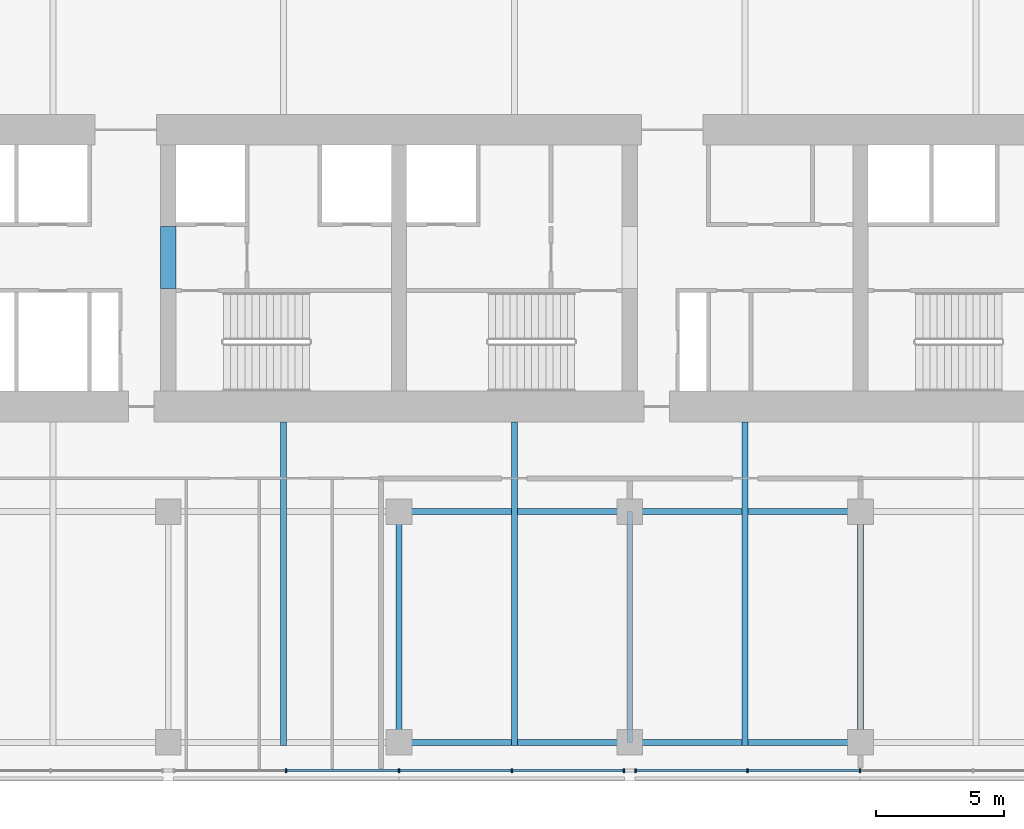
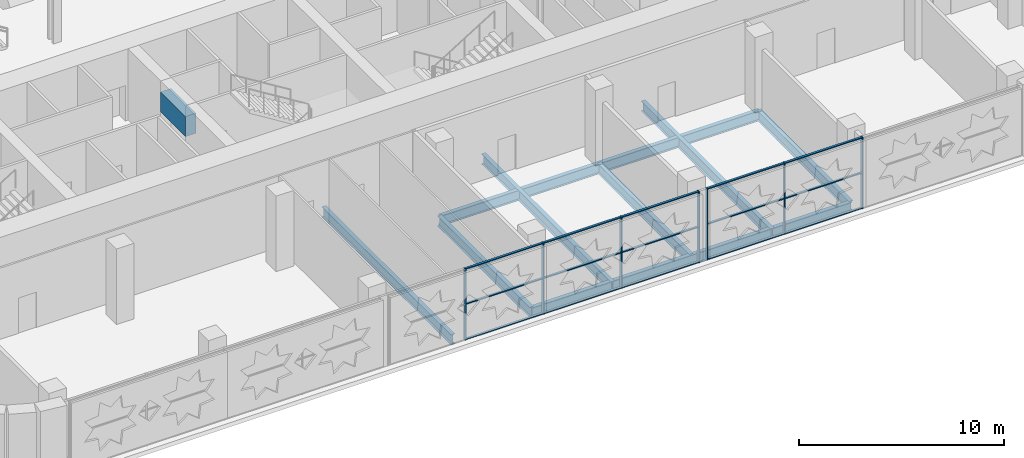
# One storey, part 5 of 26: 22 members, 9 beams, 2 elements without a shape of their own.
"""IFC4 building model written with IfcOpenShell, lengths in metres."""

from ifc_helpers import new_model, si_unit, direction, frame, origin, origin_2d, place, context, subcontext, project, spatial, rectangle, i_section, extrude, material, material_profile, profile_set, type_object, element, aggregate, save


model = new_model("IFC4")

# Units and contexts
model_context = context("Model", 3, precision=1e-05, world=origin(), true_north=direction((0.0, 1.0)))
body_context = subcontext(model_context, "Body", "Model", "MODEL_VIEW")
ifc_project = project(units=[si_unit("LENGTHUNIT", "METRE"), si_unit("AREAUNIT", "SQUARE_METRE"), si_unit("VOLUMEUNIT", "CUBIC_METRE"), si_unit("PLANEANGLEUNIT", "RADIAN"), si_unit("MASSUNIT", "GRAM", prefix="KILO")], contexts=[model_context])

# Site, building, storey
site_placement = place(None, origin())
site = spatial("IfcSite", under=ifc_project, at=site_placement, CompositionType="ELEMENT")
building_placement = place(site_placement, origin())
building = spatial("IfcBuilding", under=site, at=building_placement, Name="Zellij Exchange Tower", CompositionType="ELEMENT")
storey_placement = place(building_placement, frame((0.0, 0.0, 39.0)))
storey = spatial("IfcBuildingStorey", under=building, at=storey_placement, Name="L06", CompositionType="ELEMENT", Elevation=39.0)

# Beam
ifc_material_1 = material(Name="Concrete C70/85", Category="concrete")
ifc_material_profile_1 = material_profile(ifc_material_1, rectangle(XDim=0.60009765625, YDim=1.199951171875, at=origin_2d()), Name="CORE-CB 600x1200 C70/85")
ifc_profile_set_1 = profile_set([ifc_material_profile_1], Name="Concrete C70/85")
beam_type_1 = type_object("IfcBeamType", Name="CORE-CB 600x1200 C70/85", PredefinedType="BEAM", material=ifc_profile_set_1)
beam_placement = place(storey_placement, frame((-9.0, -8.800048828125, 3.0), z_axis=(0.0, 1.0, 0.0), x_axis=(-1.0, 0.0, 0.0)))
element("IfcBeam", 1, at=beam_placement, inside=storey, type_object=beam_type_1, Name="Core coupling beam x -9 L06", PredefinedType="BEAM", context=body_context, shape_type="SweptSolid", body=[
    extrude(rectangle(XDim=0.60009765625, YDim=1.199951171875, at=origin_2d()), origin(), (0.0, 0.0, 1.0), 2.425048828125),
])

# Curtain wall, members
ifc_material_2 = material(Name="Aluminium frame, clear insulating glass", Category="aluminium")
curtain_wall_type = type_object("IfcCurtainWallType", Name="ENV-CW1 Sky-garden glazing", PredefinedType="NOTDEFINED", material=ifc_material_2)
curtain_wall_1_placement = place(storey_placement, origin())
curtain_wall_1 = element("IfcCurtainWall", 2, at=curtain_wall_1_placement, inside=storey, type_object=curtain_wall_type, Name="cw.L06.00b", PredefinedType="NOTDEFINED")
ifc_material_3 = material(Name="Aluminium", Category="aluminium")
ifc_material_profile_2 = material_profile(ifc_material_3, rectangle(XDim=0.06005859375, YDim=0.159912109375, at=origin_2d()), Name="AL 60x160")
ifc_profile_set_2 = profile_set([ifc_material_profile_2], Name="Aluminium")
member_type_1 = type_object("IfcMemberType", Name="ENV-CW1M Mullion 60x160", PredefinedType="MULLION", material=ifc_profile_set_2)
member_1_placement = place(storey_placement, frame((-4.39990234375, -27.60009765625, 0.0), z_axis=(0.0, 0.0, 1.0), x_axis=(1.0, 0.0, 0.0)))
member_1 = element("IfcMember", 3, at=member_1_placement, type_object=member_type_1, Name="CW1 mullion 2", PredefinedType="MULLION", context=body_context, shape_type="SweptSolid", body=[
    extrude(rectangle(XDim=0.06005859375, YDim=0.159912109375, at=origin_2d()), origin(), (0.0, 0.0, 1.0), 4.25),
])
member_2_placement = place(storey_placement, frame((0.0, -27.60009765625, 0.0), z_axis=(0.0, 0.0, 1.0), x_axis=(1.0, 0.0, 0.0)))
member_2 = element("IfcMember", 4, at=member_2_placement, type_object=member_type_1, Name="CW1 mullion 3", PredefinedType="MULLION", context=body_context, shape_type="SweptSolid", body=[
    extrude(rectangle(XDim=0.06005859375, YDim=0.159912109375, at=origin_2d()), origin(), (0.0, 0.0, 1.0), 4.25),
])
member_3_placement = place(storey_placement, frame((4.39990234375, -27.60009765625, 0.0), z_axis=(0.0, 0.0, 1.0), x_axis=(1.0, 0.0, 0.0)))
member_3 = element("IfcMember", 5, at=member_3_placement, type_object=member_type_1, Name="CW1 mullion 4", PredefinedType="MULLION", context=body_context, shape_type="SweptSolid", body=[
    extrude(rectangle(XDim=0.06005859375, YDim=0.159912109375, at=origin_2d()), origin(), (0.0, 0.0, 1.0), 4.25),
])
member_4_placement = place(storey_placement, frame((8.77001953125, -27.60009765625, 0.0), z_axis=(0.0, 0.0, 1.0), x_axis=(1.0, 0.0, 0.0)))
member_4 = element("IfcMember", 6, at=member_4_placement, type_object=member_type_1, Name="CW1 mullion 5", PredefinedType="MULLION", context=body_context, shape_type="SweptSolid", body=[
    extrude(rectangle(XDim=0.06005859375, YDim=0.159912109375, at=origin_2d()), origin(), (0.0, 0.0, 1.0), 4.25),
])

curtain_wall_2_placement = place(storey_placement, origin())
curtain_wall_2 = element("IfcCurtainWall", 7, at=curtain_wall_2_placement, inside=storey, type_object=curtain_wall_type, Name="cw.L06.00c", PredefinedType="NOTDEFINED")
member_5_placement = place(storey_placement, frame((9.22998046875, -27.60009765625, 0.0), z_axis=(0.0, 0.0, 1.0), x_axis=(1.0, 0.0, 0.0)))
member_5 = element("IfcMember", 8, at=member_5_placement, type_object=member_type_1, Name="CW1 mullion 1", PredefinedType="MULLION", context=body_context, shape_type="SweptSolid", body=[
    extrude(rectangle(XDim=0.06005859375, YDim=0.159912109375, at=origin_2d()), origin(), (0.0, 0.0, 1.0), 4.25),
])
member_6_placement = place(storey_placement, frame((13.593505859375, -27.60009765625, 0.0), z_axis=(0.0, 0.0, 1.0), x_axis=(1.0, 0.0, 0.0)))
member_6 = element("IfcMember", 9, at=member_6_placement, type_object=member_type_1, Name="CW1 mullion 2", PredefinedType="MULLION", context=body_context, shape_type="SweptSolid", body=[
    extrude(rectangle(XDim=0.06005859375, YDim=0.159912109375, at=origin_2d()), origin(), (0.0, 0.0, 1.0), 4.25),
])
member_7_placement = place(storey_placement, frame((17.98681640625, -27.60009765625, 0.0), z_axis=(0.0, 0.0, 1.0), x_axis=(1.0, 0.0, 0.0)))
member_7 = element("IfcMember", 10, at=member_7_placement, type_object=member_type_1, Name="CW1 mullion 3", PredefinedType="MULLION", context=body_context, shape_type="SweptSolid", body=[
    extrude(rectangle(XDim=0.06005859375, YDim=0.159912109375, at=origin_2d()), origin(), (0.0, 0.0, 1.0), 4.25),
])

# Member
ifc_material_profile_3 = material_profile(ifc_material_3, rectangle(XDim=0.1201171875, YDim=0.06005859375, at=origin_2d()), Name="AL 120x60")
ifc_profile_set_3 = profile_set([ifc_material_profile_3], Name="Aluminium")
member_type_2 = type_object("IfcMemberType", Name="ENV-CW1T Transom 120x60", PredefinedType="USERDEFINED", material=ifc_profile_set_3)
member_8_placement = place(storey_placement, frame((-4.3701171875, -27.60009765625, 0.030029296875), z_axis=(1.0, 0.0, 0.0), x_axis=(0.0, 1.0, 0.0)))
member_8 = element("IfcMember", 11, at=member_8_placement, type_object=member_type_2, Name="CW1 transom 2.1", ObjectType="TRANSOM", PredefinedType="USERDEFINED", context=body_context, shape_type="SweptSolid", body=[
    extrude(rectangle(XDim=0.1201171875, YDim=0.06005859375, at=origin_2d()), origin(), (0.0, 0.0, 1.0), 4.340087890625),
])

member_9_placement = place(storey_placement, frame((-4.3701171875, -27.60009765625, 2.125), z_axis=(1.0, 0.0, 0.0), x_axis=(0.0, 1.0, 0.0)))
member_9 = element("IfcMember", 12, at=member_9_placement, type_object=member_type_2, Name="CW1 transom 2.2", ObjectType="TRANSOM", PredefinedType="USERDEFINED", context=body_context, shape_type="SweptSolid", body=[
    extrude(rectangle(XDim=0.1201171875, YDim=0.06005859375, at=origin_2d()), origin(), (0.0, 0.0, 1.0), 4.340087890625),
])

member_10_placement = place(storey_placement, frame((-4.3701171875, -27.60009765625, 4.219970703125), z_axis=(1.0, 0.0, 0.0), x_axis=(0.0, 1.0, 0.0)))
member_10 = element("IfcMember", 13, at=member_10_placement, type_object=member_type_2, Name="CW1 transom 2.3", ObjectType="TRANSOM", PredefinedType="USERDEFINED", context=body_context, shape_type="SweptSolid", body=[
    extrude(rectangle(XDim=0.1201171875, YDim=0.06005859375, at=origin_2d()), origin(), (0.0, 0.0, 1.0), 4.340087890625),
])

member_11_placement = place(storey_placement, frame((0.030029296875, -27.60009765625, 0.030029296875), z_axis=(1.0, 0.0, 0.0), x_axis=(0.0, 1.0, 0.0)))
member_11 = element("IfcMember", 14, at=member_11_placement, type_object=member_type_2, Name="CW1 transom 3.1", ObjectType="TRANSOM", PredefinedType="USERDEFINED", context=body_context, shape_type="SweptSolid", body=[
    extrude(rectangle(XDim=0.1201171875, YDim=0.06005859375, at=origin_2d()), origin(), (0.0, 0.0, 1.0), 4.340087890625),
])

member_12_placement = place(storey_placement, frame((0.030029296875, -27.60009765625, 2.125), z_axis=(1.0, 0.0, 0.0), x_axis=(0.0, 1.0, 0.0)))
member_12 = element("IfcMember", 15, at=member_12_placement, type_object=member_type_2, Name="CW1 transom 3.2", ObjectType="TRANSOM", PredefinedType="USERDEFINED", context=body_context, shape_type="SweptSolid", body=[
    extrude(rectangle(XDim=0.1201171875, YDim=0.06005859375, at=origin_2d()), origin(), (0.0, 0.0, 1.0), 4.340087890625),
])

member_13_placement = place(storey_placement, frame((0.030029296875, -27.60009765625, 4.219970703125), z_axis=(1.0, 0.0, 0.0), x_axis=(0.0, 1.0, 0.0)))
member_13 = element("IfcMember", 16, at=member_13_placement, type_object=member_type_2, Name="CW1 transom 3.3", ObjectType="TRANSOM", PredefinedType="USERDEFINED", context=body_context, shape_type="SweptSolid", body=[
    extrude(rectangle(XDim=0.1201171875, YDim=0.06005859375, at=origin_2d()), origin(), (0.0, 0.0, 1.0), 4.340087890625),
])

member_14_placement = place(storey_placement, frame((4.429931640625, -27.60009765625, 0.030029296875), z_axis=(1.0, 0.0, 0.0), x_axis=(0.0, 1.0, 0.0)))
member_14 = element("IfcMember", 17, at=member_14_placement, type_object=member_type_2, Name="CW1 transom 4.1", ObjectType="TRANSOM", PredefinedType="USERDEFINED", context=body_context, shape_type="SweptSolid", body=[
    extrude(rectangle(XDim=0.1201171875, YDim=0.06005859375, at=origin_2d()), origin(), (0.0, 0.0, 1.0), 4.31005859375),
])

member_15_placement = place(storey_placement, frame((4.429931640625, -27.60009765625, 2.125), z_axis=(1.0, 0.0, 0.0), x_axis=(0.0, 1.0, 0.0)))
member_15 = element("IfcMember", 18, at=member_15_placement, type_object=member_type_2, Name="CW1 transom 4.2", ObjectType="TRANSOM", PredefinedType="USERDEFINED", context=body_context, shape_type="SweptSolid", body=[
    extrude(rectangle(XDim=0.1201171875, YDim=0.06005859375, at=origin_2d()), origin(), (0.0, 0.0, 1.0), 4.31005859375),
])

member_16_placement = place(storey_placement, frame((4.429931640625, -27.60009765625, 4.219970703125), z_axis=(1.0, 0.0, 0.0), x_axis=(0.0, 1.0, 0.0)))
member_16 = element("IfcMember", 19, at=member_16_placement, type_object=member_type_2, Name="CW1 transom 4.3", ObjectType="TRANSOM", PredefinedType="USERDEFINED", context=body_context, shape_type="SweptSolid", body=[
    extrude(rectangle(XDim=0.1201171875, YDim=0.06005859375, at=origin_2d()), origin(), (0.0, 0.0, 1.0), 4.31005859375),
])

aggregate(curtain_wall_1, [member_1, member_2, member_3, member_4, member_8, member_9, member_10, member_11, member_12, member_13, member_14, member_15, member_16])

member_17_placement = place(storey_placement, frame((9.260009765625, -27.60009765625, 0.030029296875), z_axis=(1.0, 0.0, 0.0), x_axis=(0.0, 1.0, 0.0)))
member_17 = element("IfcMember", 20, at=member_17_placement, type_object=member_type_2, Name="CW1 transom 1.1", ObjectType="TRANSOM", PredefinedType="USERDEFINED", context=body_context, shape_type="SweptSolid", body=[
    extrude(rectangle(XDim=0.1201171875, YDim=0.06005859375, at=origin_2d()), origin(), (0.0, 0.0, 1.0), 4.303466796875),
])

member_18_placement = place(storey_placement, frame((9.260009765625, -27.60009765625, 2.125), z_axis=(1.0, 0.0, 0.0), x_axis=(0.0, 1.0, 0.0)))
member_18 = element("IfcMember", 21, at=member_18_placement, type_object=member_type_2, Name="CW1 transom 1.2", ObjectType="TRANSOM", PredefinedType="USERDEFINED", context=body_context, shape_type="SweptSolid", body=[
    extrude(rectangle(XDim=0.1201171875, YDim=0.06005859375, at=origin_2d()), origin(), (0.0, 0.0, 1.0), 4.303466796875),
])

member_19_placement = place(storey_placement, frame((9.260009765625, -27.60009765625, 4.219970703125), z_axis=(1.0, 0.0, 0.0), x_axis=(0.0, 1.0, 0.0)))
member_19 = element("IfcMember", 22, at=member_19_placement, type_object=member_type_2, Name="CW1 transom 1.3", ObjectType="TRANSOM", PredefinedType="USERDEFINED", context=body_context, shape_type="SweptSolid", body=[
    extrude(rectangle(XDim=0.1201171875, YDim=0.06005859375, at=origin_2d()), origin(), (0.0, 0.0, 1.0), 4.303466796875),
])

member_20_placement = place(storey_placement, frame((13.62353515625, -27.60009765625, 0.030029296875), z_axis=(1.0, 0.0, 0.0), x_axis=(0.0, 1.0, 0.0)))
member_20 = element("IfcMember", 23, at=member_20_placement, type_object=member_type_2, Name="CW1 transom 2.1", ObjectType="TRANSOM", PredefinedType="USERDEFINED", context=body_context, shape_type="SweptSolid", body=[
    extrude(rectangle(XDim=0.1201171875, YDim=0.06005859375, at=origin_2d()), origin(), (0.0, 0.0, 1.0), 4.333251953125),
])

member_21_placement = place(storey_placement, frame((13.62353515625, -27.60009765625, 2.125), z_axis=(1.0, 0.0, 0.0), x_axis=(0.0, 1.0, 0.0)))
member_21 = element("IfcMember", 24, at=member_21_placement, type_object=member_type_2, Name="CW1 transom 2.2", ObjectType="TRANSOM", PredefinedType="USERDEFINED", context=body_context, shape_type="SweptSolid", body=[
    extrude(rectangle(XDim=0.1201171875, YDim=0.06005859375, at=origin_2d()), origin(), (0.0, 0.0, 1.0), 4.333251953125),
])

member_22_placement = place(storey_placement, frame((13.62353515625, -27.60009765625, 4.219970703125), z_axis=(1.0, 0.0, 0.0), x_axis=(0.0, 1.0, 0.0)))
member_22 = element("IfcMember", 25, at=member_22_placement, type_object=member_type_2, Name="CW1 transom 2.3", ObjectType="TRANSOM", PredefinedType="USERDEFINED", context=body_context, shape_type="SweptSolid", body=[
    extrude(rectangle(XDim=0.1201171875, YDim=0.06005859375, at=origin_2d()), origin(), (0.0, 0.0, 1.0), 4.333251953125),
])

aggregate(curtain_wall_2, [member_5, member_6, member_7, member_17, member_18, member_19, member_20, member_21, member_22])

# Beams
ifc_material_4 = material(Name="Structural steel ASTM A992 Gr 50", Category="steel")
ifc_material_profile_4 = material_profile(ifc_material_4, i_section(OverallWidth=0.22900390625, OverallDepth=0.612060546875, WebThickness=0.011962890625, FlangeThickness=0.01953125, at=origin_2d()), Name="W24x84")
ifc_profile_set_4 = profile_set([ifc_material_profile_4], Name="Structural steel ASTM A992 Gr 50")
beam_type_2 = type_object("IfcBeamType", Name="STR-BEAM W24x84", PredefinedType="BEAM", material=ifc_profile_set_4)
for number, where, z_axis, x_axis, name in (
    (26, (-4.5, -26.614501953125, -0.55615234375), (0.0, 1.0, 0.0), (-1.0, 0.0, 0.0), "B6"),
    (27, (4.5, -26.614501953125, -0.55615234375), (0.0, 1.0, 0.0), (-1.0, 0.0, 0.0), "B6"),
    (28, (13.5, -26.614501953125, -0.55615234375), (0.0, 1.0, 0.0), (-1.0, 0.0, 0.0), "B6"),
):
    element("IfcBeam", number, at=place(storey_placement, frame(where, z_axis=z_axis, x_axis=x_axis)), inside=storey, type_object=beam_type_2, Name=name, PredefinedType="BEAM", context=body_context, shape_type="SweptSolid", body=[
        extrude(i_section(OverallWidth=0.22900390625, OverallDepth=0.612060546875, WebThickness=0.011962890625, FlangeThickness=0.01953125, at=origin_2d()), origin(), (0.0, 0.0, 1.0), 12.614501953125),
    ])
ifc_material_profile_5 = material_profile(ifc_material_4, i_section(OverallWidth=0.22900390625, OverallDepth=0.612060546875, WebThickness=0.011962890625, FlangeThickness=0.01953125, at=origin_2d()), Name="W24x84")
ifc_profile_set_5 = profile_set([ifc_material_profile_5], Name="Structural steel ASTM A992 Gr 50")
beam_type_3 = type_object("IfcBeamType", Name="STR-GIRDER W24x84", PredefinedType="BEAM", material=ifc_profile_set_5)
for number, where, z_axis, x_axis, name in (
    (29, (0.0, -26.5, -0.55615234375), (1.0, 0.0, 0.0), (0.0, 1.0, 0.0), "G4"),
    (30, (0.0, -17.5, -0.55615234375), (1.0, 0.0, 0.0), (0.0, 1.0, 0.0), "G4"),
):
    element("IfcBeam", number, at=place(storey_placement, frame(where, z_axis=z_axis, x_axis=x_axis)), inside=storey, type_object=beam_type_3, Name=name, PredefinedType="BEAM", context=body_context, shape_type="SweptSolid", body=[
        extrude(i_section(OverallWidth=0.22900390625, OverallDepth=0.612060546875, WebThickness=0.011962890625, FlangeThickness=0.01953125, at=origin_2d()), origin(), (0.0, 0.0, 1.0), 18.0),
    ])
for number, where, z_axis, x_axis, name in (
    (31, (0.0, -26.5, -0.55615234375), (0.0, 1.0, 0.0), (-1.0, 0.0, 0.0), "G4"),
    (32, (9.0, -26.5, -0.55615234375), (0.0, 1.0, 0.0), (-1.0, 0.0, 0.0), "G4"),
    (33, (18.0, -26.5, -0.55615234375), (0.0, 1.0, 0.0), (-1.0, 0.0, 0.0), "G4"),
):
    element("IfcBeam", number, at=place(storey_placement, frame(where, z_axis=z_axis, x_axis=x_axis)), inside=storey, type_object=beam_type_3, Name=name, PredefinedType="BEAM", context=body_context, shape_type="SweptSolid", body=[
        extrude(i_section(OverallWidth=0.22900390625, OverallDepth=0.612060546875, WebThickness=0.011962890625, FlangeThickness=0.01953125, at=origin_2d()), origin(), (0.0, 0.0, 1.0), 9.0),
    ])

save(model, "model.ifc")
